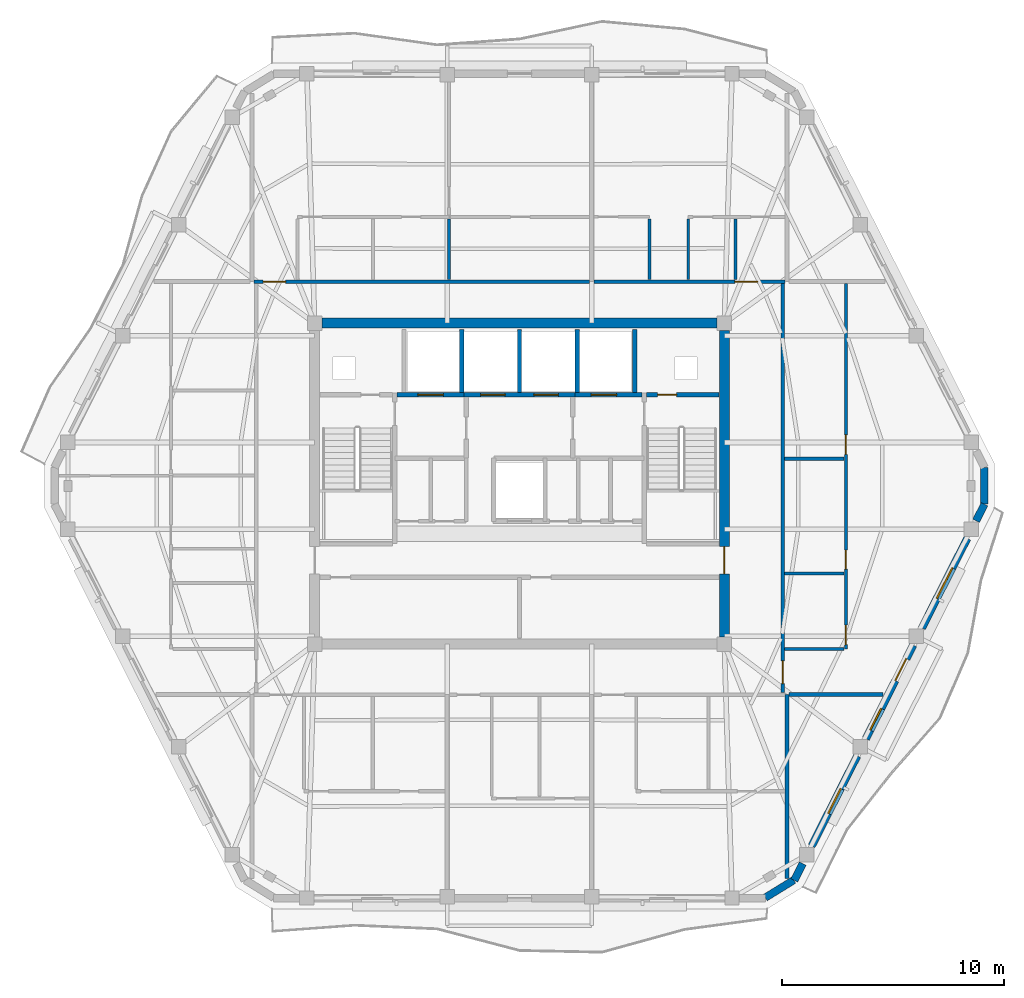
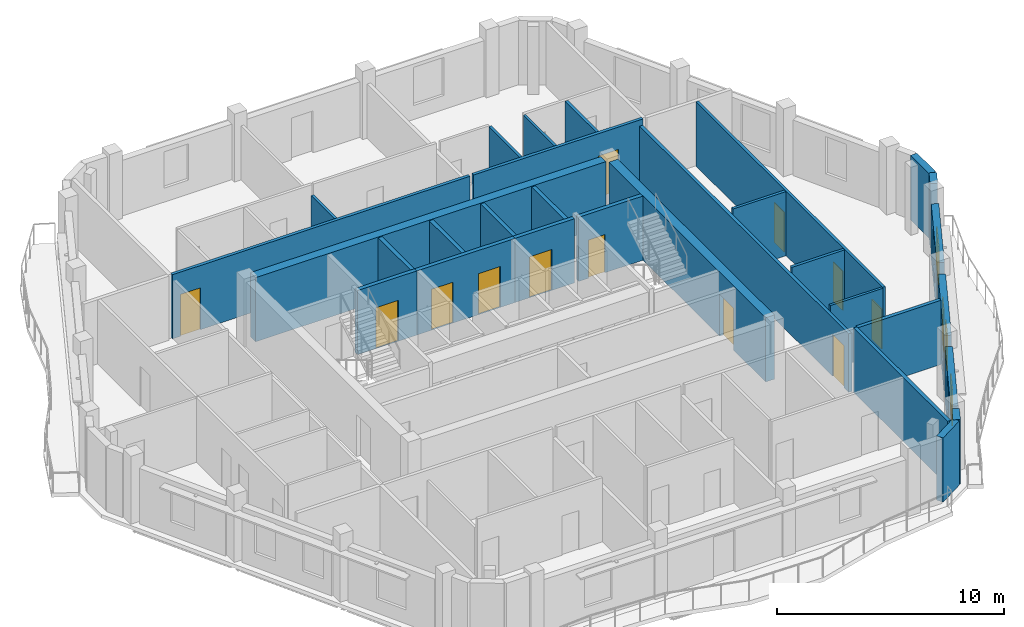
# One storey, part 6 of 12: 30 walls, 13 doors, 3 windows, 16 openings.
"""IFC4 building model written with IfcOpenShell, lengths in metres."""

from ifc_helpers import new_model, si_unit, direction, frame, frame_2d, origin, place, context, subcontext, project, spatial, rectangle, extrude, material, layer, layer_set, type_object, element, fill, save


model = new_model("IFC4")

# Units and contexts
model_context = context("Model", 3, precision=1e-05, world=origin(), true_north=direction((0.0, 1.0)))
body_context = subcontext(model_context, "Body", "Model", "MODEL_VIEW")
ifc_project = project(units=[si_unit("LENGTHUNIT", "METRE"), si_unit("AREAUNIT", "SQUARE_METRE"), si_unit("VOLUMEUNIT", "CUBIC_METRE"), si_unit("PLANEANGLEUNIT", "RADIAN"), si_unit("MASSUNIT", "GRAM", prefix="KILO")], contexts=[model_context])

# Site, building, storey
site_placement = place(None, origin())
site = spatial("IfcSite", under=ifc_project, at=site_placement, CompositionType="ELEMENT")
building_placement = place(site_placement, origin())
building = spatial("IfcBuilding", under=site, at=building_placement, Name="Cinnabar Lancet Tower", CompositionType="ELEMENT")
storey_placement = place(building_placement, frame((0.0, 0.0, 270.800048828125)))
storey = spatial("IfcBuildingStorey", under=building, at=storey_placement, Name="L72", CompositionType="ELEMENT", Elevation=270.800048828125)

# Wall, opening, door
ifc_material_1 = material(Name="Acoustic twin-stud gypsum partition", Category="gypsum")
ifc_layer_1 = layer(ifc_material_1, 0.159912109375)
ifc_layer_set_1 = layer_set([ifc_layer_1], Name="Acoustic twin-stud gypsum partition")
wall_type_1 = type_object("IfcWallType", Name="ARC-WL-CORR-160", PredefinedType="PARTITIONING", material=ifc_layer_set_1)
wall_1_placement = place(storey_placement, frame((20.445068359375, 35.0, 0.0), z_axis=(0.0, 0.0, 1.0), x_axis=(1.0, 0.0, 0.0)))
wall_1 = element("IfcWall", 1, at=wall_1_placement, inside=storey, type_object=wall_type_1, Name="L72 Unit N01 Corridor Wall", PredefinedType="PARTITIONING", context=body_context, shape_type="SweptSolid", body=[
    extrude(rectangle(XDim=15.114013671875, YDim=0.159912109375, at=frame_2d((7.55712890625, 0.0))), origin(), (0.0, 0.0, 1.0), 3.449951171875),
])
opening_1_placement = place(wall_1_placement, frame((0.405029296875, 0.0, 0.0)))
opening_1 = element("IfcOpeningElement", 2, at=opening_1_placement, cuts=wall_1, Name="Opening UD-01", PredefinedType="OPENING", context=body_context, shape_type="SweptSolid", body=[
    extrude(rectangle(XDim=1.02001953125, YDim=2.25, at=frame_2d((0.510009765625, 1.125))), frame((0.0, 0.08984375, 0.0), z_axis=(0.0, -1.0, 0.0), x_axis=(1.0, 0.0, 0.0)), (0.0, 0.0, 1.0), 0.179931640625),
])
ifc_material_2 = material(Name="Solid timber fire-rated apartment entrance door", Category="wood")
door_type_1 = type_object("IfcDoorType", Name="ARC-DR-UNIT", OperationType="NOTDEFINED", PredefinedType="DOOR", material=ifc_material_2)
door_1_placement = place(opening_1_placement, origin())
door_1 = element("IfcDoor", 3, at=door_1_placement, inside=storey, type_object=door_type_1, Name="DR-L72-N01-ENT", OperationType="SINGLE_SWING_LEFT", OverallHeight=2.25, OverallWidth=1.02001953125, PredefinedType="DOOR", context=body_context, shape_type="SweptSolid", body=[
    extrude(rectangle(XDim=1.02001953125, YDim=2.25, at=frame_2d((0.510009765625, 1.125))), frame((0.0, 0.02490234375, 0.0), z_axis=(0.0, -1.0, 0.0), x_axis=(1.0, 0.0, 0.0)), (0.0, 0.0, 1.0), 0.050048828125),
])
fill(opening_1, door_1)

wall_2_placement = place(storey_placement, frame((35.7490234375, 35.0, 0.0), z_axis=(0.0, 0.0, 1.0), x_axis=(1.0, 0.0, 0.0)))
wall_2 = element("IfcWall", 4, at=wall_2_placement, inside=storey, type_object=wall_type_1, Name="L72 Unit N02 Corridor Wall", PredefinedType="PARTITIONING", context=body_context, shape_type="SweptSolid", body=[
    extrude(rectangle(XDim=8.60595703125, YDim=0.159912109375, at=frame_2d((4.302978515625, 0.0))), origin(), (0.0, 0.0, 1.0), 3.449951171875),
])
opening_2_placement = place(wall_2_placement, frame((6.35107421875, 0.0, 0.0)))
opening_2 = element("IfcOpeningElement", 5, at=opening_2_placement, cuts=wall_2, Name="Opening UD-01", PredefinedType="OPENING", context=body_context, shape_type="SweptSolid", body=[
    extrude(rectangle(XDim=1.02001953125, YDim=2.25, at=frame_2d((0.510009765625, 1.125))), frame((0.0, 0.08984375, 0.0), z_axis=(0.0, -1.0, 0.0), x_axis=(1.0, 0.0, 0.0)), (0.0, 0.0, 1.0), 0.179931640625),
])
door_2_placement = place(opening_2_placement, origin())
door_2 = element("IfcDoor", 6, at=door_2_placement, inside=storey, type_object=door_type_1, Name="DR-L72-N02-ENT", OperationType="SINGLE_SWING_RIGHT", OverallHeight=2.25, OverallWidth=1.02001953125, PredefinedType="DOOR", context=body_context, shape_type="SweptSolid", body=[
    extrude(rectangle(XDim=1.02001953125, YDim=2.25, at=frame_2d((0.510009765625, 1.125))), frame((0.0, 0.02490234375, 0.0), z_axis=(0.0, -1.0, 0.0), x_axis=(1.0, 0.0, 0.0)), (0.0, 0.0, 1.0), 0.050048828125),
])
fill(opening_2, door_2)

wall_3_placement = place(storey_placement, frame((44.25, 16.4951171875, 0.0), z_axis=(0.0, 0.0, 1.0), x_axis=(0.0, 1.0, 0.0)))
wall_3 = element("IfcWall", 7, at=wall_3_placement, inside=storey, type_object=wall_type_1, Name="UW-L72-E01-COR", PredefinedType="PARTITIONING", context=body_context, shape_type="SweptSolid", body=[
    extrude(rectangle(XDim=18.409912109375, YDim=0.159912109375, at=frame_2d((9.205078125, 0.0))), origin(), (0.0, 0.0, 1.0), 3.136962890625),
])
opening_3_placement = place(wall_3_placement, frame((0.39990234375, 0.0, 0.0)))
opening_3 = element("IfcOpeningElement", 8, at=opening_3_placement, cuts=wall_3, Name="Opening UD-01", PredefinedType="OPENING", context=body_context, shape_type="SweptSolid", body=[
    extrude(rectangle(XDim=1.02001953125, YDim=2.25, at=frame_2d((0.510009765625, 1.125))), frame((0.0, 0.08984375, 0.0), z_axis=(0.0, -1.0, 0.0), x_axis=(1.0, 0.0, 0.0)), (0.0, 0.0, 1.0), 0.179931640625),
])
door_3_placement = place(opening_3_placement, origin())
door_3 = element("IfcDoor", 9, at=door_3_placement, inside=storey, type_object=door_type_1, Name="DR-L72-E01-ENT", OperationType="SINGLE_SWING_LEFT", OverallHeight=2.25, OverallWidth=1.02001953125, PredefinedType="DOOR", context=body_context, shape_type="SweptSolid", body=[
    extrude(rectangle(XDim=1.02001953125, YDim=2.25, at=frame_2d((0.510009765625, 1.125))), frame((0.0, 0.02490234375, 0.0), z_axis=(0.0, -1.0, 0.0), x_axis=(1.0, 0.0, 0.0)), (0.0, 0.0, 1.0), 0.050048828125),
])
fill(opening_3, door_3)

# Walls
ifc_material_3 = material(Name="Fire-rated twin-frame acoustic drywall", Category="gypsum")
ifc_layer_2 = layer(ifc_material_3, 0.179931640625)
ifc_layer_set_2 = layer_set([ifc_layer_2], Name="Fire-rated twin-frame acoustic drywall")
wall_type_2 = type_object("IfcWallType", Name="ARC-WL-PARTY-180", PredefinedType="PARTITIONING", material=ifc_layer_set_2)
wall_4_placement = place(storey_placement, frame((44.449951171875, 8.118896484375, 0.0), z_axis=(0.0, 0.0, 1.0), x_axis=(0.0, 1.0, 0.0)))
element("IfcWall", 10, at=wall_4_placement, inside=storey, type_object=wall_type_2, Name="PW-L72-SPTY-444", PredefinedType="PARTITIONING", context=body_context, shape_type="SweptSolid", body=[
    extrude(rectangle(XDim=8.281005859375, YDim=0.179931640625, at=frame_2d((4.140625, 0.0))), origin(), (0.0, 0.0, 1.0), 3.449951171875),
])
wall_5_placement = place(storey_placement, frame((44.544921875, 16.39990234375, 0.0), z_axis=(0.0, 0.0, 1.0), x_axis=(1.0, 0.0, 0.0)))
element("IfcWall", 11, at=wall_5_placement, inside=storey, type_object=wall_type_2, Name="PW-L72-ESB", PredefinedType="PARTITIONING", context=body_context, shape_type="SweptSolid", body=[
    extrude(rectangle(XDim=4.22119140625, YDim=0.179931640625, at=frame_2d((2.110595703125, 0.0))), origin(), (0.0, 0.0, 1.0), 3.449951171875),
])

# Wall, opening, door
ifc_material_4 = material(Name="Autoclaved aerated concrete blockwork", Category="masonry")
ifc_layer_3 = layer(ifc_material_4, 0.199951171875)
ifc_layer_set_3 = layer_set([ifc_layer_3], Name="Autoclaved aerated concrete blockwork")
wall_type_3 = type_object("IfcWallType", Name="ARC-WL-SHAFT-200", PredefinedType="PLUMBINGWALL", material=ifc_layer_set_3)
wall_6_placement = place(storey_placement, frame((26.885009765625, 29.89990234375, 0.0), z_axis=(0.0, 0.0, 1.0), x_axis=(1.0, 0.0, 0.0)))
wall_6 = element("IfcWall", 12, at=wall_6_placement, inside=storey, type_object=wall_type_3, Name="CW-FL1-L72", PredefinedType="PLUMBINGWALL", context=body_context, shape_type="SweptSolid", body=[
    extrude(rectangle(XDim=3.014892578125, YDim=0.199951171875, at=frame_2d((1.50732421875, 0.0))), origin(), (0.0, 0.0, 1.0), 3.449951171875),
])
opening_4_placement = place(wall_6_placement, frame((0.93994140625, 0.0, 0.0)))
opening_4 = element("IfcOpeningElement", 13, at=opening_4_placement, cuts=wall_6, Name="Opening LD-02", PredefinedType="OPENING", context=body_context, shape_type="SweptSolid", body=[
    extrude(rectangle(XDim=1.14990234375, YDim=2.199951171875, at=frame_2d((0.574951171875, 1.10009765625))), frame((0.0, 0.10986328125, 0.0), z_axis=(0.0, -1.0, 0.0), x_axis=(1.0, 0.0, 0.0)), (0.0, 0.0, 1.0), 0.219970703125),
])
ifc_material_5 = material(Name="Fire-rated stainless steel firefighting lift landing door", Category="steel")
door_type_2 = type_object("IfcDoorType", Name="ARC-DR-LD-FIRE", OperationType="NOTDEFINED", PredefinedType="DOOR", material=ifc_material_5)
door_4_placement = place(opening_4_placement, origin())
door_4 = element("IfcDoor", 14, at=door_4_placement, inside=storey, type_object=door_type_2, Name="L72 Firefighting Lift FL-1 Landing Door", OperationType="DOUBLE_DOOR_SLIDING", OverallHeight=2.199951171875, OverallWidth=1.14990234375, PredefinedType="DOOR", context=body_context, shape_type="SweptSolid", body=[
    extrude(rectangle(XDim=1.14990234375, YDim=2.199951171875, at=frame_2d((0.574951171875, 1.10009765625))), frame((0.0, 0.02490234375, 0.0), z_axis=(0.0, -1.0, 0.0), x_axis=(1.0, 0.0, 0.0)), (0.0, 0.0, 1.0), 0.050048828125),
])
fill(opening_4, door_4)

# Wall, openings, doors
wall_7_placement = place(storey_placement, frame((29.89990234375, 29.89990234375, 0.0), z_axis=(0.0, 0.0, 1.0), x_axis=(1.0, 0.0, 0.0)))
wall_7 = element("IfcWall", 15, at=wall_7_placement, inside=storey, type_object=wall_type_3, Name="CW-PL78-L72", PredefinedType="PLUMBINGWALL", context=body_context, shape_type="SweptSolid", body=[
    extrude(rectangle(XDim=5.0, YDim=0.199951171875, at=frame_2d((2.5, 0.0))), origin(), (0.0, 0.0, 1.0), 3.449951171875),
])
opening_5_placement = place(wall_7_placement, frame((0.75, 0.0, 0.0)))
opening_5 = element("IfcOpeningElement", 16, at=opening_5_placement, cuts=wall_7, Name="Opening LD-01", PredefinedType="OPENING", context=body_context, shape_type="SweptSolid", body=[
    extrude(rectangle(XDim=1.10009765625, YDim=2.199951171875, at=frame_2d((0.550048828125, 1.10009765625))), frame((0.0, 0.10986328125, 0.0), z_axis=(0.0, -1.0, 0.0), x_axis=(1.0, 0.0, 0.0)), (0.0, 0.0, 1.0), 0.219970703125),
])
opening_6_placement = place(wall_7_placement, frame((3.14990234375, 0.0, 0.0)))
opening_6 = element("IfcOpeningElement", 17, at=opening_6_placement, cuts=wall_7, Name="Opening LD-01", PredefinedType="OPENING", context=body_context, shape_type="SweptSolid", body=[
    extrude(rectangle(XDim=1.10009765625, YDim=2.199951171875, at=frame_2d((0.550048828125, 1.10009765625))), frame((0.0, 0.10986328125, 0.0), z_axis=(0.0, -1.0, 0.0), x_axis=(1.0, 0.0, 0.0)), (0.0, 0.0, 1.0), 0.219970703125),
])
ifc_material_6 = material(Name="Brushed stainless steel sliding lift door", Category="steel")
door_type_3 = type_object("IfcDoorType", Name="ARC-DR-LD-PASS", OperationType="NOTDEFINED", PredefinedType="DOOR", material=ifc_material_6)
door_5_placement = place(opening_5_placement, origin())
door_5 = element("IfcDoor", 18, at=door_5_placement, inside=storey, type_object=door_type_3, Name="L72 Lift PL-7 Landing Door", OperationType="DOUBLE_DOOR_SLIDING", OverallHeight=2.199951171875, OverallWidth=1.10009765625, PredefinedType="DOOR", context=body_context, shape_type="SweptSolid", body=[
    extrude(rectangle(XDim=1.10009765625, YDim=2.199951171875, at=frame_2d((0.550048828125, 1.10009765625))), frame((0.0, 0.02490234375, 0.0), z_axis=(0.0, -1.0, 0.0), x_axis=(1.0, 0.0, 0.0)), (0.0, 0.0, 1.0), 0.050048828125),
])
fill(opening_5, door_5)
door_6_placement = place(opening_6_placement, origin())
door_6 = element("IfcDoor", 19, at=door_6_placement, inside=storey, type_object=door_type_3, Name="L72 Lift PL-8 Landing Door", OperationType="DOUBLE_DOOR_SLIDING", OverallHeight=2.199951171875, OverallWidth=1.10009765625, PredefinedType="DOOR", context=body_context, shape_type="SweptSolid", body=[
    extrude(rectangle(XDim=1.10009765625, YDim=2.199951171875, at=frame_2d((0.550048828125, 1.10009765625))), frame((0.0, 0.02490234375, 0.0), z_axis=(0.0, -1.0, 0.0), x_axis=(1.0, 0.0, 0.0)), (0.0, 0.0, 1.0), 0.050048828125),
])
fill(opening_6, door_6)

# Wall, opening, door
wall_8_placement = place(storey_placement, frame((34.89990234375, 29.89990234375, 0.0), z_axis=(0.0, 0.0, 1.0), x_axis=(1.0, 0.0, 0.0)))
wall_8 = element("IfcWall", 20, at=wall_8_placement, inside=storey, type_object=wall_type_3, Name="CW-FL2-L72", PredefinedType="PLUMBINGWALL", context=body_context, shape_type="SweptSolid", body=[
    extrude(rectangle(XDim=3.01513671875, YDim=0.199951171875, at=frame_2d((1.507568359375, 0.0))), origin(), (0.0, 0.0, 1.0), 3.449951171875),
])
opening_7_placement = place(wall_8_placement, frame((0.72509765625, 0.0, 0.0)))
opening_7 = element("IfcOpeningElement", 21, at=opening_7_placement, cuts=wall_8, Name="Opening LD-02", PredefinedType="OPENING", context=body_context, shape_type="SweptSolid", body=[
    extrude(rectangle(XDim=1.14990234375, YDim=2.199951171875, at=frame_2d((0.574951171875, 1.10009765625))), frame((0.0, 0.10986328125, 0.0), z_axis=(0.0, -1.0, 0.0), x_axis=(1.0, 0.0, 0.0)), (0.0, 0.0, 1.0), 0.219970703125),
])
door_7_placement = place(opening_7_placement, origin())
door_7 = element("IfcDoor", 22, at=door_7_placement, inside=storey, type_object=door_type_2, Name="L72 Firefighting Lift FL-2 Landing Door", OperationType="DOUBLE_DOOR_SLIDING", OverallHeight=2.199951171875, OverallWidth=1.14990234375, PredefinedType="DOOR", context=body_context, shape_type="SweptSolid", body=[
    extrude(rectangle(XDim=1.14990234375, YDim=2.199951171875, at=frame_2d((0.574951171875, 1.10009765625))), frame((0.0, 0.02490234375, 0.0), z_axis=(0.0, -1.0, 0.0), x_axis=(1.0, 0.0, 0.0)), (0.0, 0.0, 1.0), 0.050048828125),
])
fill(opening_7, door_7)

wall_9_placement = place(storey_placement, frame((38.125, 29.89990234375, 0.0), z_axis=(0.0, 0.0, 1.0), x_axis=(1.0, 0.0, 0.0)))
wall_9 = element("IfcWall", 23, at=wall_9_placement, inside=storey, type_object=wall_type_3, Name="CW-NSH-E-L72", PredefinedType="PLUMBINGWALL", context=body_context, shape_type="SweptSolid", body=[
    extrude(rectangle(XDim=3.27001953125, YDim=0.199951171875, at=frame_2d((1.635009765625, 0.0))), origin(), (0.0, 0.0, 1.0), 3.449951171875),
])
opening_8_placement = place(wall_9_placement, frame((0.5, 0.0, 0.0)))
opening_8 = element("IfcOpeningElement", 24, at=opening_8_placement, cuts=wall_9, Name="Opening PD-02", PredefinedType="OPENING", context=body_context, shape_type="SweptSolid", body=[
    extrude(rectangle(XDim=0.85009765625, YDim=2.050048828125, at=frame_2d((0.425048828125, 1.02490234375))), frame((0.0, 0.10986328125, 0.0), z_axis=(0.0, -1.0, 0.0), x_axis=(1.0, 0.0, 0.0)), (0.0, 0.0, 1.0), 0.219970703125),
])
ifc_material_7 = material(Name="Fire-rated steel riser access door", Category="steel")
door_type_4 = type_object("IfcDoorType", Name="ARC-DR-RISER", OperationType="NOTDEFINED", PredefinedType="DOOR", material=ifc_material_7)
door_8_placement = place(opening_8_placement, origin())
door_8 = element("IfcDoor", 25, at=door_8_placement, inside=storey, type_object=door_type_4, Name="L72 East Riser Access Door", OperationType="SINGLE_SWING_RIGHT", OverallHeight=2.050048828125, OverallWidth=0.85009765625, PredefinedType="DOOR", context=body_context, shape_type="SweptSolid", body=[
    extrude(rectangle(XDim=0.85009765625, YDim=2.050048828125, at=frame_2d((0.425048828125, 1.02490234375))), frame((0.0, 0.02490234375, 0.0), z_axis=(0.0, -1.0, 0.0), x_axis=(1.0, 0.0, 0.0)), (0.0, 0.0, 1.0), 0.050048828125),
])
fill(opening_8, door_8)

# Walls
for number, where, z_axis, x_axis, name in (
    (26, (29.800048828125, 30.0, 0.0), (0.0, 0.0, 1.0), (0.0, 1.0, 0.0), "CW-NSH-D2-L72"),
    (27, (32.39990234375, 30.0, 0.0), (0.0, 0.0, 1.0), (0.0, 1.0, 0.0), "CW-NSH-D3-L72"),
    (28, (35.0, 30.0, 0.0), (0.0, 0.0, 1.0), (0.0, 1.0, 0.0), "CW-NSH-D4-L72"),
    (29, (37.60009765625, 30.0, 0.0), (0.0, 0.0, 1.0), (0.0, 1.0, 0.0), "CW-NSH-D5-L72"),
):
    element("IfcWall", number, at=place(storey_placement, frame(where, z_axis=z_axis, x_axis=x_axis)), inside=storey, type_object=wall_type_3, Name=name, PredefinedType="PLUMBINGWALL", context=body_context, shape_type="SweptSolid", body=[
        extrude(rectangle(XDim=2.85009765625, YDim=0.199951171875, at=frame_2d((1.425048828125, 0.0))), origin(), (0.0, 0.0, 1.0), 3.449951171875),
    ])
ifc_material_8 = material(Name="Gypsum plasterboard stud partition", Category="gypsum")
ifc_layer_4 = layer(ifc_material_8, 0.125)
ifc_layer_set_4 = layer_set([ifc_layer_4], Name="Gypsum plasterboard stud partition")
wall_type_4 = type_object("IfcWallType", Name="ARC-WL-UNIT-125", PredefinedType="PARTITIONING", material=ifc_layer_set_4)
for number, where, z_axis, x_axis, name in (
    (30, (40.0, 35.0849609375, 0.0), (0.0, 0.0, 1.0), (0.0, 1.0, 0.0), "UW-L72-N02-FOYE"),
    (31, (38.25, 35.0849609375, 0.0), (0.0, 0.0, 1.0), (0.0, 1.0, 0.0), "UW-L72-N02-FOYW"),
):
    element("IfcWall", number, at=place(storey_placement, frame(where, z_axis=z_axis, x_axis=x_axis)), inside=storey, type_object=wall_type_4, Name=name, PredefinedType="PARTITIONING", context=body_context, shape_type="SweptSolid", body=[
        extrude(rectangle(XDim=2.72509765625, YDim=0.125, at=frame_2d((1.362548828125, 0.0))), origin(), (0.0, 0.0, 1.0), 3.449951171875),
    ])
wall_10_placement = place(storey_placement, frame((44.3349609375, 18.449951171875, 0.0), z_axis=(0.0, 0.0, 1.0), x_axis=(1.0, 0.0, 0.0)))
element("IfcWall", 32, at=wall_10_placement, inside=storey, type_object=wall_type_4, Name="UW-L72-E01-FOYN", PredefinedType="PARTITIONING", context=body_context, shape_type="SweptSolid", body=[
    extrude(rectangle(XDim=2.679931640625, YDim=0.125, at=frame_2d((1.33984375, 0.0))), origin(), (0.0, 0.0, 1.0), 3.449951171875),
])
ifc_material_9 = material(Name="Moisture-resistant cement-board plumbing wall", Category="masonry")
ifc_layer_5 = layer(ifc_material_9, 0.139892578125)
ifc_layer_set_5 = layer_set([ifc_layer_5], Name="Moisture-resistant cement-board plumbing wall")
wall_type_5 = type_object("IfcWallType", Name="ARC-WL-WET-140", PredefinedType="PLUMBINGWALL", material=ifc_layer_set_5)
wall_11_placement = place(storey_placement, frame((29.22607421875, 35.0849609375, 0.0), z_axis=(0.0, 0.0, 1.0), x_axis=(0.0, 1.0, 0.0)))
element("IfcWall", 33, at=wall_11_placement, inside=storey, type_object=wall_type_5, Name="UW-L72-N01-ENSW", PredefinedType="PLUMBINGWALL", context=body_context, shape_type="SweptSolid", body=[
    extrude(rectangle(XDim=2.72509765625, YDim=0.139892578125, at=frame_2d((1.362548828125, 0.0))), origin(), (0.0, 0.0, 1.0), 2.906982421875),
])
wall_12_placement = place(storey_placement, frame((42.135986328125, 35.0849609375, 0.0), z_axis=(0.0, 0.0, 1.0), x_axis=(0.0, 1.0, 0.0)))
element("IfcWall", 34, at=wall_12_placement, inside=storey, type_object=wall_type_5, Name="UW-L72-N02-KDV", PredefinedType="PLUMBINGWALL", context=body_context, shape_type="SweptSolid", body=[
    extrude(rectangle(XDim=2.72509765625, YDim=0.139892578125, at=frame_2d((1.362548828125, 0.0))), origin(), (0.0, 0.0, 1.0), 3.449951171875),
])

# Wall, openings, doors
wall_13_placement = place(storey_placement, frame((47.10009765625, 18.449951171875, 0.0), z_axis=(0.0, 0.0, 1.0), x_axis=(0.0, 1.0, 0.0)))
wall_13 = element("IfcWall", 35, at=wall_13_placement, inside=storey, type_object=wall_type_5, Name="UW-L72-E01-SPL", PredefinedType="PLUMBINGWALL", context=body_context, shape_type="SweptSolid", body=[
    extrude(rectangle(XDim=16.455078125, YDim=0.139892578125, at=frame_2d((8.2275390625, 0.0))), origin(), (0.0, 0.0, 1.0), 3.449951171875),
])
opening_9_placement = place(wall_13_placement, frame((3.60009765625, 0.0, 0.0)))
opening_9 = element("IfcOpeningElement", 36, at=opening_9_placement, cuts=wall_13, Name="Opening BD-01", PredefinedType="OPENING", context=body_context, shape_type="SweptSolid", body=[
    extrude(rectangle(XDim=0.860107421875, YDim=2.10009765625, at=frame_2d((0.43017578125, 1.050048828125))), frame((0.0, 0.079833984375, 0.0), z_axis=(0.0, -1.0, 0.0), x_axis=(1.0, 0.0, 0.0)), (0.0, 0.0, 1.0), 0.159912109375),
])
opening_10_placement = place(wall_13_placement, frame((8.76904296875, 0.0, 0.0)))
opening_10 = element("IfcOpeningElement", 37, at=opening_10_placement, cuts=wall_13, Name="Opening RD-02", PredefinedType="OPENING", context=body_context, shape_type="SweptSolid", body=[
    extrude(rectangle(XDim=0.8798828125, YDim=2.14990234375, at=frame_2d((0.43994140625, 1.074951171875))), frame((0.0, 0.079833984375, 0.0), z_axis=(0.0, -1.0, 0.0), x_axis=(1.0, 0.0, 0.0)), (0.0, 0.0, 1.0), 0.159912109375),
])
opening_11_placement = place(wall_13_placement, frame((0.199951171875, 0.0, 0.0)))
opening_11 = element("IfcOpeningElement", 38, at=opening_11_placement, cuts=wall_13, Name="Opening RD-02", PredefinedType="OPENING", context=body_context, shape_type="SweptSolid", body=[
    extrude(rectangle(XDim=0.8798828125, YDim=2.14990234375, at=frame_2d((0.43994140625, 1.074951171875))), frame((0.0, 0.079833984375, 0.0), z_axis=(0.0, -1.0, 0.0), x_axis=(1.0, 0.0, 0.0)), (0.0, 0.0, 1.0), 0.159912109375),
])
ifc_material_10 = material(Name="Moisture-resistant timber bathroom door", Category="wood")
door_type_5 = type_object("IfcDoorType", Name="ARC-DR-BATH", OperationType="NOTDEFINED", PredefinedType="DOOR", material=ifc_material_10)
door_9_placement = place(opening_9_placement, origin())
door_9 = element("IfcDoor", 39, at=door_9_placement, inside=storey, type_object=door_type_5, Name="DR-L72-E01-BTH", OperationType="SINGLE_SWING_LEFT", OverallHeight=2.10009765625, OverallWidth=0.860107421875, PredefinedType="DOOR", context=body_context, shape_type="SweptSolid", body=[
    extrude(rectangle(XDim=0.860107421875, YDim=2.10009765625, at=frame_2d((0.43017578125, 1.050048828125))), frame((0.0, 0.02490234375, 0.0), z_axis=(0.0, -1.0, 0.0), x_axis=(1.0, 0.0, 0.0)), (0.0, 0.0, 1.0), 0.050048828125),
])
fill(opening_9, door_9)
ifc_material_11 = material(Name="Engineered timber study door", Category="wood")
door_type_6 = type_object("IfcDoorType", Name="ARC-DR-STUDY", OperationType="NOTDEFINED", PredefinedType="DOOR", material=ifc_material_11)
door_10_placement = place(opening_10_placement, origin())
door_10 = element("IfcDoor", 40, at=door_10_placement, inside=storey, type_object=door_type_6, Name="DR-L72-E01-WDR", OperationType="SINGLE_SWING_RIGHT", OverallHeight=2.14990234375, OverallWidth=0.8798828125, PredefinedType="DOOR", context=body_context, shape_type="SweptSolid", body=[
    extrude(rectangle(XDim=0.8798828125, YDim=2.14990234375, at=frame_2d((0.43994140625, 1.074951171875))), frame((0.0, 0.02490234375, 0.0), z_axis=(0.0, -1.0, 0.0), x_axis=(1.0, 0.0, 0.0)), (0.0, 0.0, 1.0), 0.050048828125),
])
fill(opening_10, door_10)
door_11_placement = place(opening_11_placement, origin())
door_11 = element("IfcDoor", 41, at=door_11_placement, inside=storey, type_object=door_type_6, Name="DR-L72-E01-KIT", OperationType="SINGLE_SWING_RIGHT", OverallHeight=2.14990234375, OverallWidth=0.8798828125, PredefinedType="DOOR", context=body_context, shape_type="SweptSolid", body=[
    extrude(rectangle(XDim=0.8798828125, YDim=2.14990234375, at=frame_2d((0.43994140625, 1.074951171875))), frame((0.0, 0.02490234375, 0.0), z_axis=(0.0, -1.0, 0.0), x_axis=(1.0, 0.0, 0.0)), (0.0, 0.0, 1.0), 0.050048828125),
])
fill(opening_11, door_11)

# Walls
for number, where, z_axis, x_axis, name in (
    (42, (44.3349609375, 21.85009765625, 0.0), (0.0, 0.0, 1.0), (1.0, 0.0, 0.0), "UW-L72-E01-KDV"),
    (43, (44.3349609375, 27.01904296875, 0.0), (0.0, 0.0, 1.0), (1.0, 0.0, 0.0), "UW-L72-E01-BWDV"),
):
    element("IfcWall", number, at=place(storey_placement, frame(where, z_axis=z_axis, x_axis=x_axis)), inside=storey, type_object=wall_type_5, Name=name, PredefinedType="PLUMBINGWALL", context=body_context, shape_type="SweptSolid", body=[
        extrude(rectangle(XDim=2.679931640625, YDim=0.139892578125, at=frame_2d((1.33984375, 0.0))), origin(), (0.0, 0.0, 1.0), 3.449951171875),
    ])
ifc_material_12 = material(Name="Cinnabar red clay brick", Category="masonry")
ifc_layer_6 = layer(ifc_material_12, 0.340087890625)
ifc_layer_set_6 = layer_set([ifc_layer_6], Name="Cinnabar red clay brick")
wall_type_6 = type_object("IfcWallType", Name="ENV-WL-BRK-RED-340", PredefinedType="STANDARD", material=ifc_layer_set_6)
wall_14_placement = place(storey_placement, frame((43.468994140625, 7.2548828125, 0.0), z_axis=(0.0, 0.0, 1.0), x_axis=(0.851680557619, 0.52406128246, 0.0)))
element("IfcWall", 44, at=wall_14_placement, inside=storey, type_object=wall_type_6, Name="L72 Chamfered Corner Brick Pier 2.1", PredefinedType="STANDARD", context=body_context, shape_type="SweptSolid", body=[
    extrude(rectangle(XDim=1.507568359375, YDim=0.340087890625, at=frame_2d((0.75390625, 0.0))), origin(), (0.0, 0.0, 1.0), 3.449951171875),
])
wall_15_placement = place(storey_placement, frame((53.322998046875, 24.97998046875, 0.0), z_axis=(0.0, 0.0, 1.0), x_axis=(0.0, 1.0, 0.0)))
element("IfcWall", 45, at=wall_15_placement, inside=storey, type_object=wall_type_6, Name="L72 Chamfered Corner Brick Pier 3.1", PredefinedType="STANDARD", context=body_context, shape_type="SweptSolid", body=[
    extrude(rectangle(XDim=1.64013671875, YDim=0.340087890625, at=frame_2d((0.820068359375, 0.0))), origin(), (0.0, 0.0, 1.0), 3.449951171875),
])
wall_16_placement = place(storey_placement, frame((44.77294921875, 8.029052734375, 0.0), z_axis=(0.0, 0.0, 1.0), x_axis=(0.451907025977, 0.8920650424, 0.0)))
element("IfcWall", 46, at=wall_16_placement, inside=storey, type_object=wall_type_6, Name="L72 Face 2 Masonry Bay Wall 1", PredefinedType="STANDARD", context=body_context, shape_type="SweptSolid", body=[
    extrude(rectangle(XDim=0.85205078125, YDim=0.340087890625, at=frame_2d((0.426025390625, 0.0))), origin(), (0.0, 0.0, 1.0), 3.449951171875),
])

# Wall, opening, window
wall_17_placement = place(storey_placement, frame((45.555908203125, 9.576904296875, 0.0), z_axis=(0.0, 0.0, 1.0), x_axis=(0.45154039276, 0.892250678737, 0.0)))
wall_17 = element("IfcWall", 47, at=wall_17_placement, inside=storey, type_object=wall_type_6, Name="L72 Face 2 Masonry Bay Wall 2", PredefinedType="STANDARD", context=body_context, shape_type="SweptSolid", body=[
    extrude(rectangle(XDim=4.5537109375, YDim=0.340087890625, at=frame_2d((2.27685546875, 0.0))), origin(), (0.0, 0.0, 1.0), 2.98291015625),
])
opening_12_placement = place(wall_17_placement, frame((1.652099609375, 0.0, 0.75)))
opening_12 = element("IfcOpeningElement", 48, at=opening_12_placement, cuts=wall_17, Name="Opening WN-03", PredefinedType="OPENING", context=body_context, shape_type="SweptSolid", body=[
    extrude(rectangle(XDim=1.25, YDim=1.949951171875, at=frame_2d((0.625, 0.97509765625))), frame((0.0, 0.179931640625, 0.0), z_axis=(0.0, -1.0, 0.0), x_axis=(1.0, 0.0, 0.0)), (0.0, 0.0, 1.0), 0.360107421875),
])
ifc_material_13 = material(Name="Thermally broken bronze-anodized aluminium low-E double glazing", Category="aluminium")
window_type_1 = type_object("IfcWindowType", Name="ENV-WN-LANCET-1250", PartitioningType="SINGLE_PANEL", PredefinedType="WINDOW", material=ifc_material_13)
window_1_placement = place(opening_12_placement, origin())
window_1 = element("IfcWindow", 49, at=window_1_placement, inside=storey, type_object=window_type_1, Name="L72 Face 2 Gothic Lancet Window 2", OverallHeight=1.949951171875, OverallWidth=1.25, PartitioningType="SINGLE_PANEL", PredefinedType="WINDOW", context=body_context, shape_type="SweptSolid", body=[
    extrude(rectangle(XDim=1.25, YDim=1.949951171875, at=frame_2d((0.625, 0.97509765625))), frame((0.0, 0.030029296875, 0.0), z_axis=(0.0, -1.0, 0.0), x_axis=(1.0, 0.0, 0.0)), (0.0, 0.0, 1.0), 0.06005859375),
])
fill(opening_12, window_1)

# Wall, openings, door, window
wall_18_placement = place(storey_placement, frame((48.001953125, 14.4130859375, 0.0), z_axis=(0.0, 0.0, 1.0), x_axis=(0.451468341582, 0.892287137949, 0.0)))
wall_18 = element("IfcWall", 50, at=wall_18_placement, inside=storey, type_object=wall_type_6, Name="L72 Face 2 Masonry Bay Wall 3", PredefinedType="STANDARD", context=body_context, shape_type="SweptSolid", body=[
    extrude(rectangle(XDim=4.72265625, YDim=0.340087890625, at=frame_2d((2.361328125, 0.0))), origin(), (0.0, 0.0, 1.0), 2.98291015625),
])
opening_13_placement = place(wall_18_placement, frame((2.94091796875, 0.0, 0.0)))
opening_13 = element("IfcOpeningElement", 51, at=opening_13_placement, cuts=wall_18, Name="Opening TD-01", PredefinedType="OPENING", context=body_context, shape_type="SweptSolid", body=[
    extrude(rectangle(XDim=1.10009765625, YDim=2.25, at=frame_2d((0.550048828125, 1.125))), frame((0.0, 0.179931640625, 0.0), z_axis=(0.0, -1.0, 0.0), x_axis=(1.0, 0.0, 0.0)), (0.0, 0.0, 1.0), 0.360107421875),
])
opening_14_placement = place(wall_18_placement, frame((0.43408203125, 0.0, 0.75)))
opening_14 = element("IfcOpeningElement", 52, at=opening_14_placement, cuts=wall_18, Name="Opening WN-04", PredefinedType="OPENING", context=body_context, shape_type="SweptSolid", body=[
    extrude(rectangle(XDim=1.10009765625, YDim=2.0, at=frame_2d((0.550048828125, 1.0))), frame((0.0, 0.179931640625, 0.0), z_axis=(0.0, -1.0, 0.0), x_axis=(1.0, 0.0, 0.0)), (0.0, 0.0, 1.0), 0.360107421875),
])
ifc_material_14 = material(Name="Thermally broken low-E glazed balcony terrace door", Category="wood")
door_type_7 = type_object("IfcDoorType", Name="ARC-DR-BALC", OperationType="NOTDEFINED", PredefinedType="DOOR", material=ifc_material_14)
door_12_placement = place(opening_13_placement, origin())
door_12 = element("IfcDoor", 53, at=door_12_placement, inside=storey, type_object=door_type_7, Name="L72 Face 2 Glazed Terrace Door", OperationType="SINGLE_SWING_RIGHT", OverallHeight=2.25, OverallWidth=1.10009765625, PredefinedType="DOOR", context=body_context, shape_type="SweptSolid", body=[
    extrude(rectangle(XDim=1.10009765625, YDim=2.25, at=frame_2d((0.550048828125, 1.125))), frame((0.0, 0.02490234375, 0.0), z_axis=(0.0, -1.0, 0.0), x_axis=(1.0, 0.0, 0.0)), (0.0, 0.0, 1.0), 0.050048828125),
])
fill(opening_13, door_12)
ifc_material_15 = material(Name="Thermally broken bronze-anodized aluminium tall lancet window", Category="aluminium")
window_type_2 = type_object("IfcWindowType", Name="ENV-WN-LANCET-1100", PartitioningType="SINGLE_PANEL", PredefinedType="WINDOW", material=ifc_material_15)
window_2_placement = place(opening_14_placement, origin())
window_2 = element("IfcWindow", 54, at=window_2_placement, inside=storey, type_object=window_type_2, Name="L72 Split-Bay Gothic Lancet Window 268", OverallHeight=2.0, OverallWidth=1.10009765625, PartitioningType="SINGLE_PANEL", PredefinedType="WINDOW", context=body_context, shape_type="SweptSolid", body=[
    extrude(rectangle(XDim=1.10009765625, YDim=2.0, at=frame_2d((0.550048828125, 1.0))), frame((0.0, 0.030029296875, 0.0), z_axis=(0.0, -1.0, 0.0), x_axis=(1.0, 0.0, 0.0)), (0.0, 0.0, 1.0), 0.06005859375),
])
fill(opening_14, window_2)

# Wall, opening, window
wall_19_placement = place(storey_placement, frame((50.52294921875, 19.39697265625, 0.0), z_axis=(0.0, 0.0, 1.0), x_axis=(0.45147697324, 0.892282770558, 0.0)))
wall_19 = element("IfcWall", 55, at=wall_19_placement, inside=storey, type_object=wall_type_6, Name="L72 Face 2 Masonry Bay Wall 4", PredefinedType="STANDARD", context=body_context, shape_type="SweptSolid", body=[
    extrude(rectangle(XDim=4.530029296875, YDim=0.340087890625, at=frame_2d((2.26513671875, 0.0))), origin(), (0.0, 0.0, 1.0), 2.98291015625),
])
opening_15_placement = place(wall_19_placement, frame((1.489990234375, 0.0, 0.75)))
opening_15 = element("IfcOpeningElement", 56, at=opening_15_placement, cuts=wall_19, Name="Opening WN-01", PredefinedType="OPENING", context=body_context, shape_type="SweptSolid", body=[
    extrude(rectangle(XDim=1.550048828125, YDim=2.050048828125, at=frame_2d((0.77490234375, 1.02490234375))), frame((0.0, 0.179931640625, 0.0), z_axis=(0.0, -1.0, 0.0), x_axis=(1.0, 0.0, 0.0)), (0.0, 0.0, 1.0), 0.360107421875),
])
ifc_material_16 = material(Name="Thermally broken bronze-anodized aluminium low-E double glazing", Category="aluminium")
window_type_3 = type_object("IfcWindowType", Name="ENV-WN-LANCET-1550", PartitioningType="SINGLE_PANEL", PredefinedType="WINDOW", material=ifc_material_16)
window_3_placement = place(opening_15_placement, origin())
window_3 = element("IfcWindow", 57, at=window_3_placement, inside=storey, type_object=window_type_3, Name="L72 Face 2 Gothic Lancet Window 4", OverallHeight=2.050048828125, OverallWidth=1.550048828125, PartitioningType="SINGLE_PANEL", PredefinedType="WINDOW", context=body_context, shape_type="SweptSolid", body=[
    extrude(rectangle(XDim=1.550048828125, YDim=2.050048828125, at=frame_2d((0.77490234375, 1.02490234375))), frame((0.0, 0.030029296875, 0.0), z_axis=(0.0, -1.0, 0.0), x_axis=(1.0, 0.0, 0.0)), (0.0, 0.0, 1.0), 0.06005859375),
])
fill(opening_15, window_3)

# Walls
wall_20_placement = place(storey_placement, frame((52.965087890625, 24.22412109375, 0.0), z_axis=(0.0, 0.0, 1.0), x_axis=(0.4515140893, 0.892263989615, 0.0)))
element("IfcWall", 58, at=wall_20_placement, inside=storey, type_object=wall_type_6, Name="L72 Face 2 Masonry Bay Wall 5", PredefinedType="STANDARD", context=body_context, shape_type="SweptSolid", body=[
    extrude(rectangle(XDim=0.839111328125, YDim=0.340087890625, at=frame_2d((0.41943359375, 0.0))), origin(), (0.0, 0.0, 1.0), 3.449951171875),
])
ifc_material_17 = material(Name="Concrete C50/60", Category="concrete")
ifc_layer_7 = layer(ifc_material_17, 0.449951171875)
ifc_layer_set_7 = layer_set([ifc_layer_7], Name="Concrete C50/60")
wall_type_7 = type_object("IfcWallType", Name="STR-WL-CORE-450", PredefinedType="SHEAR", material=ifc_layer_set_7)
wall_21_placement = place(storey_placement, frame((23.5, 33.125, 0.0), z_axis=(0.0, 0.0, 1.0), x_axis=(1.0, 0.0, 0.0)))
element("IfcWall", 59, at=wall_21_placement, inside=storey, type_object=wall_type_7, Name="L72 Core Shear Wall N", PredefinedType="SHEAR", context=body_context, shape_type="SweptSolid", body=[
    extrude(rectangle(XDim=17.800048828125, YDim=0.449951171875, at=frame_2d((8.89990234375, 0.0))), origin(), (0.0, 0.0, 1.0), 3.449951171875),
])

# Wall, opening, door
wall_22_placement = place(storey_placement, frame((41.625, 19.0, 0.0), z_axis=(0.0, 0.0, 1.0), x_axis=(0.0, 1.0, 0.0)))
wall_22 = element("IfcWall", 60, at=wall_22_placement, inside=storey, type_object=wall_type_7, Name="L72 Core Shear Wall E", PredefinedType="SHEAR", context=body_context, shape_type="SweptSolid", body=[
    extrude(rectangle(XDim=13.800048828125, YDim=0.449951171875, at=frame_2d((6.89990234375, 0.0))), origin(), (0.0, 0.0, 1.0), 3.449951171875),
])
opening_16_placement = place(wall_22_placement, frame((2.840087890625, 0.0, 0.0)))
opening_16 = element("IfcOpeningElement", 61, at=opening_16_placement, cuts=wall_22, Name="Opening FD-02", PredefinedType="OPENING", context=body_context, shape_type="SweptSolid", body=[
    extrude(rectangle(XDim=1.219970703125, YDim=2.25, at=frame_2d((0.60986328125, 1.125))), frame((0.0, 0.23486328125, 0.0), z_axis=(0.0, -1.0, 0.0), x_axis=(1.0, 0.0, 0.0)), (0.0, 0.0, 1.0), 0.469970703125),
])
ifc_material_18 = material(Name="Fire-rated double-vision core portal door", Category="wood")
door_type_8 = type_object("IfcDoorType", Name="ARC-DR-CPORT", OperationType="NOTDEFINED", PredefinedType="DOOR", material=ifc_material_18)
door_13_placement = place(opening_16_placement, origin())
door_13 = element("IfcDoor", 62, at=door_13_placement, inside=storey, type_object=door_type_8, Name="L72 East Core Lobby Fire Door", OperationType="SINGLE_SWING_LEFT", OverallHeight=2.25, OverallWidth=1.219970703125, PredefinedType="DOOR", context=body_context, shape_type="SweptSolid", body=[
    extrude(rectangle(XDim=1.219970703125, YDim=2.25, at=frame_2d((0.60986328125, 1.125))), frame((0.0, 0.02490234375, 0.0), z_axis=(0.0, -1.0, 0.0), x_axis=(1.0, 0.0, 0.0)), (0.0, 0.0, 1.0), 0.050048828125),
])
fill(opening_16, door_13)

save(model, "model.ifc")
